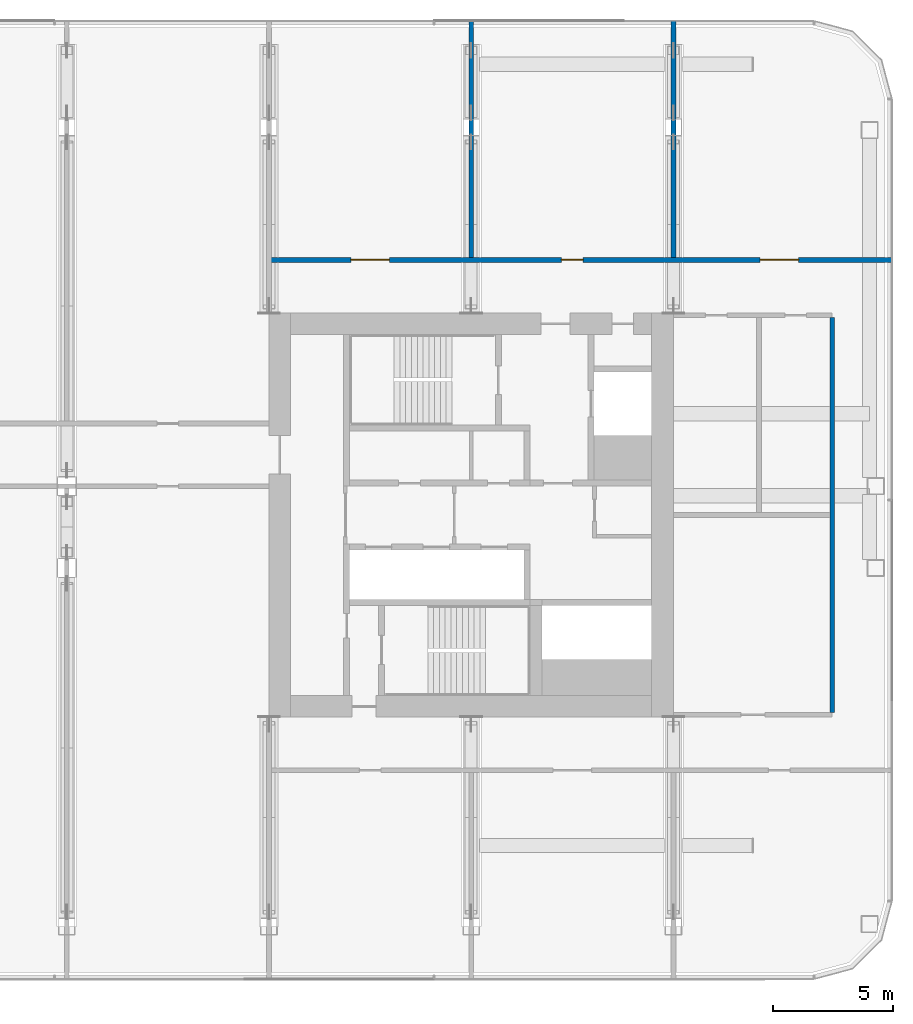
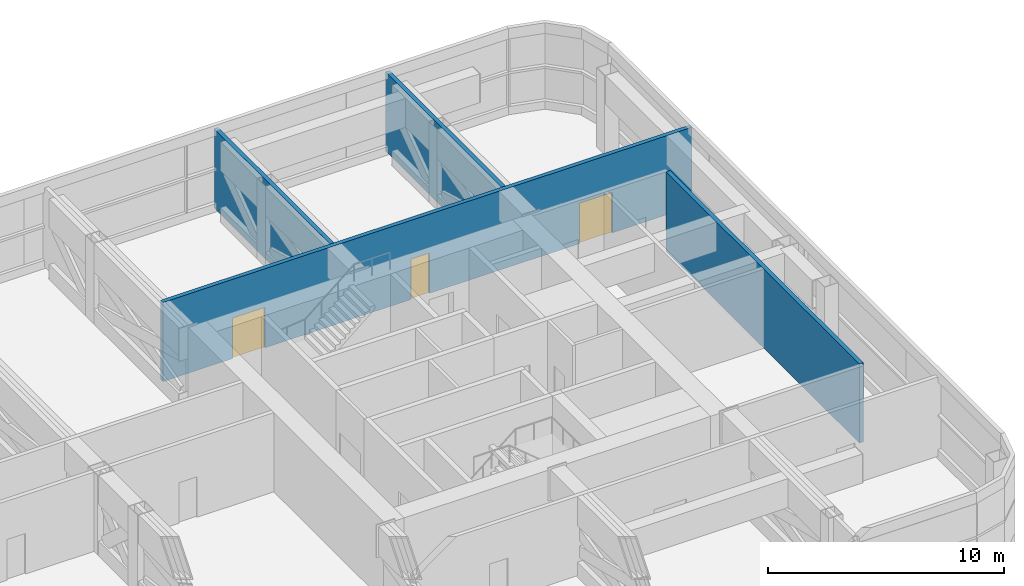
# One storey, part 19 of 33: 4 walls, 3 doors, 3 openings.
"""IFC4 building model written with IfcOpenShell, lengths in metres."""

from ifc_helpers import new_model, si_unit, direction, frame, frame_2d, origin, place, context, subcontext, project, spatial, rectangle, extrude, material, layer, layer_set, type_object, element, fill, save


model = new_model("IFC4")

# Units and contexts
model_context = context("Model", 3, precision=1e-05, world=origin(), true_north=direction((0.0, 1.0)))
body_context = subcontext(model_context, "Body", "Model", "MODEL_VIEW")
ifc_project = project(units=[si_unit("LENGTHUNIT", "METRE"), si_unit("AREAUNIT", "SQUARE_METRE"), si_unit("VOLUMEUNIT", "CUBIC_METRE"), si_unit("PLANEANGLEUNIT", "RADIAN"), si_unit("MASSUNIT", "GRAM", prefix="KILO")], contexts=[model_context])

# Site, building, storey
site_placement = place(None, origin())
site = spatial("IfcSite", under=ifc_project, at=site_placement, CompositionType="ELEMENT")
building_placement = place(site_placement, origin())
building = spatial("IfcBuilding", under=site, at=building_placement, Name="Hakoniwa Tower and Hamabe Station Hall", CompositionType="ELEMENT")
storey_placement = place(building_placement, frame((0.0, 0.0, 175.800048828125)))
storey = spatial("IfcBuildingStorey", under=building, at=storey_placement, Name="L50", CompositionType="ELEMENT", Elevation=175.800048828125)

# Wall, openings, doors
ifc_material_1 = material(Name="Fire-rated gypsum board partition", Category="gypsum")
ifc_layer_1 = layer(ifc_material_1, 0.199951171875)
ifc_layer_set_1 = layer_set([ifc_layer_1], Name="Corridor Wall 200")
wall_type_1 = type_object("IfcWallType", Name="Corridor Wall 200", PredefinedType="PARTITIONING", material=ifc_layer_set_1)
wall_1_placement = place(storey_placement, frame((16.800048828125, 10.60009765625, 0.0), z_axis=(0.0, 0.0, 1.0), x_axis=(1.0, 0.0, 0.0)))
wall_1 = element("IfcWall", 1, at=wall_1_placement, inside=storey, type_object=wall_type_1, Name="GW-L50-012", PredefinedType="PARTITIONING", context=body_context, shape_type="SweptSolid", body=[
    extrude(rectangle(XDim=25.89990234375, YDim=0.199951171875, at=frame_2d((12.949951171875, 0.0))), origin(), (0.0, 0.0, 1.0), 4.099853515625),
])
opening_1_placement = place(wall_1_placement, frame((3.39990234375, 0.0, 0.0)))
opening_1 = element("IfcOpeningElement", 2, at=opening_1_placement, cuts=wall_1, Name="Opening GD-SL50-23", PredefinedType="OPENING", context=body_context, shape_type="SweptSolid", body=[
    extrude(rectangle(XDim=1.60009765625, YDim=2.10009765625, at=frame_2d((0.800048828125, 1.050048828125))), frame((0.0, 0.10986328125, 0.0), z_axis=(0.0, -1.0, 0.0), x_axis=(1.0, 0.0, 0.0)), (0.0, 0.0, 1.0), 0.219970703125),
])
opening_2_placement = place(wall_1_placement, frame((12.14990234375, 0.0, 0.0)))
opening_2 = element("IfcOpeningElement", 3, at=opening_2_placement, cuts=wall_1, Name="Opening GD-SL50-24", PredefinedType="OPENING", context=body_context, shape_type="SweptSolid", body=[
    extrude(rectangle(XDim=0.89990234375, YDim=2.10009765625, at=frame_2d((0.449951171875, 1.050048828125))), frame((0.0, 0.10986328125, 0.0), z_axis=(0.0, -1.0, 0.0), x_axis=(1.0, 0.0, 0.0)), (0.0, 0.0, 1.0), 0.219970703125),
])
opening_3_placement = place(wall_1_placement, frame((20.39990234375, 0.0, 0.0)))
opening_3 = element("IfcOpeningElement", 4, at=opening_3_placement, cuts=wall_1, Name="Opening GD-SL50-25", PredefinedType="OPENING", context=body_context, shape_type="SweptSolid", body=[
    extrude(rectangle(XDim=1.60009765625, YDim=2.10009765625, at=frame_2d((0.800048828125, 1.050048828125))), frame((0.0, 0.10986328125, 0.0), z_axis=(0.0, -1.0, 0.0), x_axis=(1.0, 0.0, 0.0)), (0.0, 0.0, 1.0), 0.219970703125),
])
ifc_material_2 = material(Name="Timber door leaf", Category="wood")
door_type_1 = type_object("IfcDoorType", Name="Double Door 1600", OperationType="DOUBLE_DOOR_SINGLE_SWING", PredefinedType="DOOR", material=ifc_material_2)
door_1_placement = place(opening_1_placement, origin())
door_1 = element("IfcDoor", 5, at=door_1_placement, inside=storey, type_object=door_type_1, Name="Door GD-SL50-23", OperationType="DOUBLE_DOOR_SINGLE_SWING", OverallHeight=2.10009765625, OverallWidth=1.60009765625, PredefinedType="DOOR", context=body_context, shape_type="SweptSolid", body=[
    extrude(rectangle(XDim=1.60009765625, YDim=2.10009765625, at=frame_2d((0.800048828125, 1.050048828125))), frame((0.0, 0.02490234375, 0.0), z_axis=(0.0, -1.0, 0.0), x_axis=(1.0, 0.0, 0.0)), (0.0, 0.0, 1.0), 0.050048828125),
])
fill(opening_1, door_1)
door_2_placement = place(opening_3_placement, origin())
door_2 = element("IfcDoor", 6, at=door_2_placement, inside=storey, type_object=door_type_1, Name="Door GD-SL50-25", OperationType="DOUBLE_DOOR_SINGLE_SWING", OverallHeight=2.10009765625, OverallWidth=1.60009765625, PredefinedType="DOOR", context=body_context, shape_type="SweptSolid", body=[
    extrude(rectangle(XDim=1.60009765625, YDim=2.10009765625, at=frame_2d((0.800048828125, 1.050048828125))), frame((0.0, 0.02490234375, 0.0), z_axis=(0.0, -1.0, 0.0), x_axis=(1.0, 0.0, 0.0)), (0.0, 0.0, 1.0), 0.050048828125),
])
fill(opening_3, door_2)
ifc_material_3 = material(Name="Timber door leaf", Category="wood")
door_type_2 = type_object("IfcDoorType", Name="Service Door 900", OperationType="SINGLE_SWING_LEFT", PredefinedType="DOOR", material=ifc_material_3)
door_3_placement = place(opening_2_placement, origin())
door_3 = element("IfcDoor", 7, at=door_3_placement, inside=storey, type_object=door_type_2, Name="Door GD-SL50-24", OperationType="SINGLE_SWING_LEFT", OverallHeight=2.10009765625, OverallWidth=0.89990234375, PredefinedType="DOOR", context=body_context, shape_type="SweptSolid", body=[
    extrude(rectangle(XDim=0.89990234375, YDim=2.10009765625, at=frame_2d((0.449951171875, 1.050048828125))), frame((0.0, 0.02490234375, 0.0), z_axis=(0.0, -1.0, 0.0), x_axis=(1.0, 0.0, 0.0)), (0.0, 0.0, 1.0), 0.050048828125),
])
fill(opening_2, door_3)

# Walls
ifc_material_4 = material(Name="Fire-rated gypsum board partition", Category="gypsum")
ifc_layer_2 = layer(ifc_material_4, 0.199951171875)
ifc_layer_set_2 = layer_set([ifc_layer_2], Name="Party Wall 200")
wall_type_2 = type_object("IfcWallType", Name="Party Wall 200", PredefinedType="PARTITIONING", material=ifc_layer_set_2)
for number, where, z_axis, x_axis, name in (
    (8, (25.199951171875, 10.699951171875, 0.0), (0.0, 0.0, 1.0), (0.0, 1.0, 0.0), "GW-L50-029"),
    (9, (33.60009765625, 10.699951171875, 0.0), (0.0, 0.0, 1.0), (0.0, 1.0, 0.0), "GW-L50-031"),
):
    element("IfcWall", number, at=place(storey_placement, frame(where, z_axis=z_axis, x_axis=x_axis)), inside=storey, type_object=wall_type_2, Name=name, PredefinedType="PARTITIONING", context=body_context, shape_type="SweptSolid", body=[
        extrude(rectangle(XDim=9.85009765625, YDim=0.199951171875, at=frame_2d((4.925048828125, 0.0))), origin(), (0.0, 0.0, 1.0), 4.099853515625),
    ])
wall_2_placement = place(storey_placement, frame((40.199951171875, -8.199951171875, 0.0), z_axis=(0.0, 0.0, 1.0), x_axis=(0.0, 1.0, 0.0)))
element("IfcWall", 10, at=wall_2_placement, inside=storey, type_object=wall_type_2, Name="GW-L50-033", PredefinedType="PARTITIONING", context=body_context, shape_type="SweptSolid", body=[
    extrude(rectangle(XDim=16.39990234375, YDim=0.199951171875, at=frame_2d((8.199951171875, 0.0))), origin(), (0.0, 0.0, 1.0), 4.099853515625),
])

save(model, "model.ifc")
